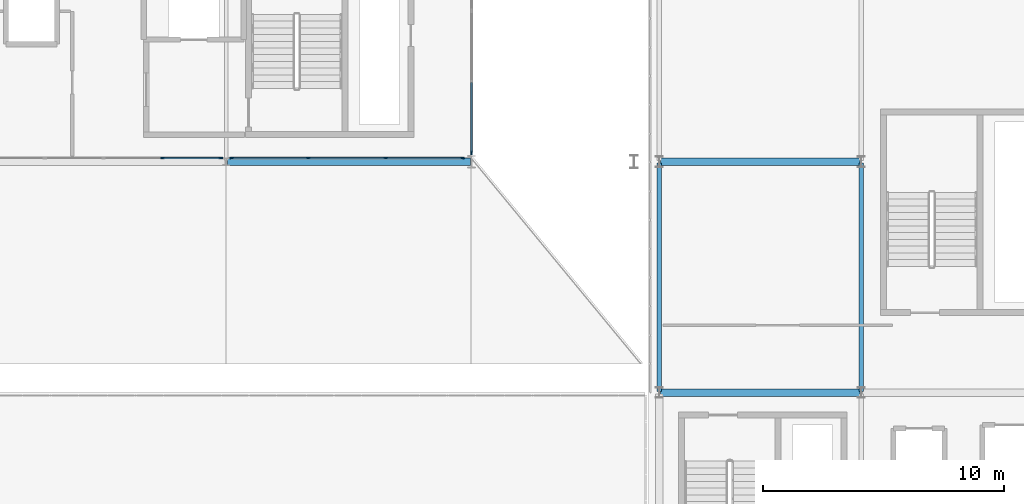
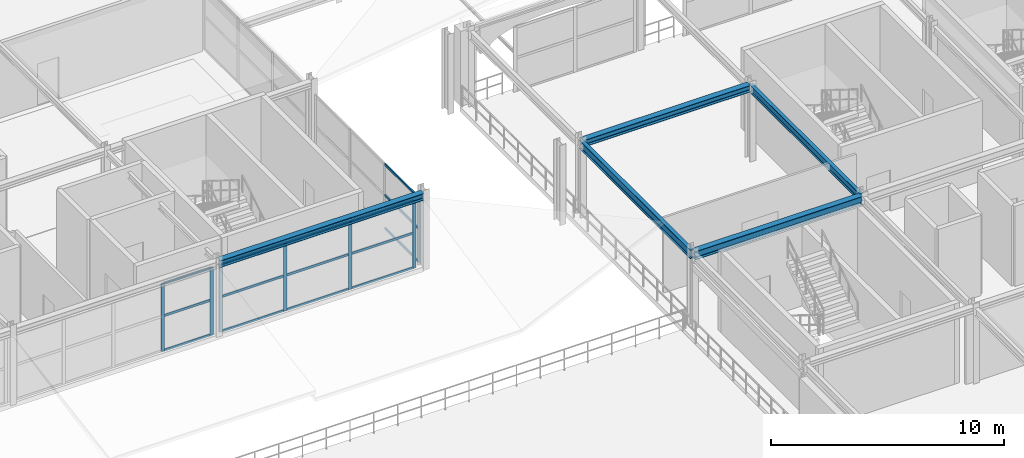
# One storey, part 18 of 81: 22 members, 5 beams, 3 elements without a shape of their own.
"""IFC4 building model written with IfcOpenShell, lengths in metres."""

import ifcopenshell
import ifcopenshell.guid

model = None  # the IFC model being written
_history = None  # IfcOwnerHistory: only IFC2X3 demands one
_inside = {}  # id of a spatial element -> (the spatial element, [elements in it])
_under = {}  # id of a project, library or spatial element -> (it, [spatial elements below it])
_declared = {}  # id of a project -> (the project, [libraries it declares])
_typed = {}  # id of a type object -> (the type object, [elements of that type])
_made_of = {}  # id of a material, layer set ... -> (it, [elements and type objects made of it])


def new_model(schema):
    """Start an empty IFC model of exactly this schema.

    Asked for "IFC4X3", IfcOpenShell would pick the latest addendum, in which some entities
    have other attributes; the version numbers below select the first issue.
    IFC2X3 requires an IfcOwnerHistory on every rooted entity: one is made here for all.
    """
    global model, _history
    if schema == "IFC4X3":
        model = ifcopenshell.file(schema_version=(4, 3, 0, 0))
    else:
        model = ifcopenshell.file(schema=schema)
    _inside.clear()
    _under.clear()
    _declared.clear()
    _typed.clear()
    _made_of.clear()
    _history = None
    if model.schema == "IFC2X3":
        org = make("IfcOrganization", Name="unknown")
        user = make(
            "IfcPersonAndOrganization",
            ThePerson=make("IfcPerson", FamilyName="unknown"),
            TheOrganization=org,
        )
        app = make(
            "IfcApplication",
            ApplicationDeveloper=org,
            Version="unknown",
            ApplicationFullName="unknown",
            ApplicationIdentifier="unknown",
        )
        _history = make(
            "IfcOwnerHistory",
            OwningUser=user,
            OwningApplication=app,
            ChangeAction="ADDED",
            CreationDate=0,
        )
    return model


def make(cls, **values):
    """One entity of the class cls with the attributes given. An attribute that is None is left unset."""
    return model.create_entity(
        cls, **{name: value for name, value in values.items() if value is not None}
    )


def rooted(cls, **values):
    """An entity with a GlobalId (a new one), such as an element, a storey or a relation."""
    return make(cls, GlobalId=ifcopenshell.guid.new(), OwnerHistory=_history, **values)


def si_unit(unit_type, name, prefix=None):
    """IfcSIUnit, for example si_unit("LENGTHUNIT", "METRE", prefix="MILLI")."""
    return make("IfcSIUnit", UnitType=unit_type, Prefix=prefix, Name=name)


def assignment(units):
    """IfcUnitAssignment: the units of a project."""
    return None if units is None else make("IfcUnitAssignment", Units=units)


def point(xyz):
    """IfcCartesianPoint."""
    return None if xyz is None else make("IfcCartesianPoint", Coordinates=xyz)


def direction(xyz):
    """IfcDirection."""
    return None if xyz is None else make("IfcDirection", DirectionRatios=xyz)


def frame(location, z_axis=None, x_axis=None):
    """IfcAxis2Placement3D, a coordinate frame: its origin and axes. An axis left out is left unset."""
    return make(
        "IfcAxis2Placement3D",
        Location=point(location),
        Axis=direction(z_axis),
        RefDirection=direction(x_axis),
    )


def frame_2d(location, x_axis=None):
    """IfcAxis2Placement2D, a coordinate frame in the plane: its origin and x axis."""
    return make(
        "IfcAxis2Placement2D", Location=point(location), RefDirection=direction(x_axis)
    )


def origin():
    """The frame at (0, 0, 0) with its axes left unset."""
    return frame((0.0, 0.0, 0.0))


def origin_2d():
    """The frame at (0, 0) in the plane with its x axis left unset."""
    return frame_2d((0.0, 0.0))


def place(relative_to, where):
    """IfcLocalPlacement: puts the frame where relative to a parent placement (None: the world)."""
    return make(
        "IfcLocalPlacement", PlacementRelTo=relative_to, RelativePlacement=where
    )


def context(
    kind, dimensions, precision=None, world=None, true_north=None, identifier=None
):
    """IfcGeometricRepresentationContext, for example the 3D "Model" context."""
    return make(
        "IfcGeometricRepresentationContext",
        ContextIdentifier=identifier,
        ContextType=kind,
        CoordinateSpaceDimension=dimensions,
        Precision=precision,
        WorldCoordinateSystem=world,
        TrueNorth=true_north,
    )


def subcontext(parent, identifier, kind, view, scale=None):
    """IfcGeometricRepresentationSubContext, for example "Body" below "Model"."""
    return make(
        "IfcGeometricRepresentationSubContext",
        ContextIdentifier=identifier,
        ContextType=kind,
        ParentContext=parent,
        TargetScale=scale,
        TargetView=view,
    )


def project(units=None, contexts=None):
    """IfcProject with its units and contexts."""
    return rooted(
        "IfcProject",
        Name="project",
        RepresentationContexts=contexts,
        UnitsInContext=assignment(units),
    )


def spatial(cls, under=None, at=None, **own):
    """A site, building, storey or space (cls), placed at a placement, below another one or the project."""
    s = rooted(cls, ObjectPlacement=at, **own)
    if under is not None:
        _under.setdefault(under.id(), (under, []))[1].append(s)
    return s


def profile(cls, at=None, kind="AREA", **sizes):
    """A parametric profile (cls). Its sizes go by their IFC names, for example OverallWidth=200.0."""
    return make(cls, ProfileType=kind, Position=at, **sizes)


def rectangle(**sizes):
    """IfcRectangleProfileDef."""
    return profile("IfcRectangleProfileDef", **sizes)


def i_section(**sizes):
    """IfcIShapeProfileDef."""
    return profile("IfcIShapeProfileDef", **sizes)


def extrude(swept, where, along, depth):
    """IfcExtrudedAreaSolid: the profile swept, set in the frame where, extruded along a direction by depth."""
    return make(
        "IfcExtrudedAreaSolid",
        SweptArea=swept,
        Position=where,
        ExtrudedDirection=direction(along),
        Depth=depth,
    )


def shape(context_of_items, identifier, shape_type, items):
    """IfcShapeRepresentation: the items that make up one representation, for example the "Body"."""
    return make(
        "IfcShapeRepresentation",
        ContextOfItems=context_of_items,
        RepresentationIdentifier=identifier,
        RepresentationType=shape_type,
        Items=items,
    )


def material(Name=None, Category=None):
    """IfcMaterial."""
    return make("IfcMaterial", Name=Name, Category=Category)


def layer(
    of_material, thickness, ventilated=None, Name=None, Category=None, Priority=None
):
    """IfcMaterialLayer: one layer of a wall or slab, of a material (None: an air gap)."""
    return make(
        "IfcMaterialLayer",
        Material=of_material,
        LayerThickness=thickness,
        IsVentilated=ventilated,
        Name=Name,
        Category=Category,
        Priority=Priority,
    )


def layer_set(layers, Name=None):
    """IfcMaterialLayerSet."""
    return make("IfcMaterialLayerSet", MaterialLayers=layers, LayerSetName=Name)


def material_profile(
    of_material, cross_section, Name=None, Category=None, Priority=None
):
    """IfcMaterialProfile: a cross section and its material."""
    return make(
        "IfcMaterialProfile",
        Name=Name,
        Material=of_material,
        Profile=cross_section,
        Priority=Priority,
        Category=Category,
    )


def profile_set(profiles, Name=None, composite=None):
    """IfcMaterialProfileSet."""
    return make(
        "IfcMaterialProfileSet",
        Name=Name,
        MaterialProfiles=profiles,
        CompositeProfile=composite,
    )


def made_of(thing, what):
    """Note that an element or type object is made of a material, layer set ...; save() writes the relation."""
    if what is not None:
        _made_of.setdefault(what.id(), (what, []))[1].append(thing)
    return thing


def type_object(cls, material=None, **own):
    """A type object (cls), such as IfcWallType, which elements share."""
    return made_of(rooted(cls, **own), material)


def element(
    cls,
    number,
    at=None,
    inside=None,
    cuts=None,
    type_object=None,
    material=None,
    context=None,
    identifier="Body",
    shape_type=None,
    held_by="IfcProductDefinitionShape",
    body=None,
    shapes=None,
    **own,
):
    """One element of the class cls, such as IfcWall. Its Tag is "e" and its number.

    at: its placement. inside: the storey or other place that contains it. cuts: it is an
    opening in that element (IfcRelVoidsElement). A single representation is given by context,
    identifier, shape_type and body (its items); several are given by shapes. held_by: the class
    of the entity that holds the representations. save() writes the other relations.
    """
    e = rooted(cls, Tag="e%d" % number, ObjectPlacement=at, **own)
    if body is not None:
        shapes = [shape(context, identifier, shape_type, body)]
    if shapes is not None:
        e.Representation = make(held_by, Representations=shapes)
    if inside is not None:
        _inside.setdefault(inside.id(), (inside, []))[1].append(e)
    if cuts is not None:
        rooted(
            "IfcRelVoidsElement", RelatingBuildingElement=cuts, RelatedOpeningElement=e
        )
    if type_object is not None:
        _typed.setdefault(type_object.id(), (type_object, []))[1].append(e)
    return made_of(e, material)


def aggregate(whole, parts):
    """IfcRelAggregates: a whole, such as a stair, and the parts it consists of."""
    return rooted("IfcRelAggregates", RelatingObject=whole, RelatedObjects=parts)


def save(model, path):
    """Write the relations noted so far, then the file.

    IfcRelAggregates (storeys below a building ...), IfcRelContainedInSpatialStructure (elements
    in a storey), IfcRelDefinesByType, IfcRelAssociatesMaterial and IfcRelDeclares: one each for
    every whole, place, type object, material and project.
    """
    for whole, parts in _under.values():
        aggregate(whole, parts)
    for where, things in _inside.values():
        rooted(
            "IfcRelContainedInSpatialStructure",
            RelatedElements=things,
            RelatingStructure=where,
        )
    for kind, things in _typed.values():
        rooted("IfcRelDefinesByType", RelatedObjects=things, RelatingType=kind)
    for what, things in _made_of.values():
        rooted("IfcRelAssociatesMaterial", RelatedObjects=things, RelatingMaterial=what)
    for by, libraries in _declared.values():
        rooted("IfcRelDeclares", RelatingContext=by, RelatedDefinitions=libraries)
    model.write(path)


model = new_model("IFC4")

# Units and contexts
model_context = context("Model", 3, precision=1e-05, world=origin(), true_north=direction((0.0, 1.0)))
body_context = subcontext(model_context, "Body", "Model", "MODEL_VIEW")
ifc_project = project(units=[si_unit("LENGTHUNIT", "METRE"), si_unit("AREAUNIT", "SQUARE_METRE"), si_unit("VOLUMEUNIT", "CUBIC_METRE"), si_unit("PLANEANGLEUNIT", "RADIAN"), si_unit("MASSUNIT", "GRAM", prefix="KILO")], contexts=[model_context])

# Site, building, storey
site_placement = place(None, origin())
site = spatial("IfcSite", under=ifc_project, at=site_placement, CompositionType="ELEMENT")
building_placement = place(site_placement, origin())
building = spatial("IfcBuilding", under=site, at=building_placement, Name="Myrtia Square Station", CompositionType="ELEMENT")
storey_placement = place(building_placement, frame((0.0, 0.0, 10.800048828125)))
storey = spatial("IfcBuildingStorey", under=building, at=storey_placement, Name="L02", CompositionType="ELEMENT", Elevation=10.800048828125)

# Beams
ifc_material_1 = material(Name="Steel S355", Category="steel")
ifc_material_profile_1 = material_profile(ifc_material_1, i_section(OverallWidth=0.300048828125, OverallDepth=0.35009765625, WebThickness=0.010009765625, FlangeThickness=0.017578125, FilletRadius=0.027099609375, at=origin_2d()), Name="HEA 360")
ifc_profile_set_1 = profile_set([ifc_material_profile_1], Name="Steel S355")
beam_type_1 = type_object("IfcBeamType", Name="BM-HEA360", PredefinedType="BEAM", material=ifc_profile_set_1)
beam_1_placement = place(storey_placement, frame((117.64990234375, 28.800048828125, 3.784912109375), z_axis=(1.0, 0.0, 0.0), x_axis=(0.0, 1.0, 0.0)))
element("IfcBeam", 1, at=beam_1_placement, inside=storey, type_object=beam_type_1, Name="Structural girder BMX-L02-0722", PredefinedType="BEAM", context=body_context, shape_type="SweptSolid", body=[
    extrude(i_section(OverallWidth=0.300048828125, OverallDepth=0.35009765625, WebThickness=0.010009765625, FlangeThickness=0.017578125, FilletRadius=0.027099609375, at=origin_2d()), origin(), (0.0, 0.0, 1.0), 8.300048828125),
])
ifc_material_profile_2 = material_profile(ifc_material_1, i_section(OverallWidth=0.300048828125, OverallDepth=0.43994140625, WebThickness=0.011474609375, FlangeThickness=0.02099609375, FilletRadius=0.027099609375, at=origin_2d()), Name="HEA 450")
ifc_profile_set_2 = profile_set([ifc_material_profile_2], Name="Steel S355")
beam_type_2 = type_object("IfcBeamType", Name="BM-HEA450", PredefinedType="BEAM", material=ifc_profile_set_2)
beam_2_placement = place(storey_placement, frame((117.64990234375, 19.199951171875, 3.739990234375), z_axis=(1.0, 0.0, 0.0), x_axis=(0.0, 1.0, 0.0)))
element("IfcBeam", 2, at=beam_2_placement, inside=storey, type_object=beam_type_2, Name="Structural girder BMX-L02-0716", PredefinedType="BEAM", context=body_context, shape_type="SweptSolid", body=[
    extrude(i_section(OverallWidth=0.300048828125, OverallDepth=0.43994140625, WebThickness=0.011474609375, FlangeThickness=0.02099609375, FilletRadius=0.027099609375, at=origin_2d()), origin(), (0.0, 0.0, 1.0), 8.300048828125),
])
ifc_material_profile_3 = material_profile(ifc_material_1, i_section(OverallWidth=0.300048828125, OverallDepth=0.360107421875, WebThickness=0.012451171875, FlangeThickness=0.0224609375, FilletRadius=0.027099609375, at=origin_2d()), Name="HEB 360")
ifc_profile_set_3 = profile_set([ifc_material_profile_3], Name="Steel S355")
beam_type_3 = type_object("IfcBeamType", Name="BM-HEB360", PredefinedType="BEAM", material=ifc_profile_set_3)
beam_3_placement = place(storey_placement, frame((99.64990234375, 28.800048828125, 3.780029296875), z_axis=(1.0, 0.0, 0.0), x_axis=(0.0, 1.0, 0.0)))
element("IfcBeam", 3, at=beam_3_placement, inside=storey, type_object=beam_type_3, Name="Structural girder BMX-L02-0693", PredefinedType="BEAM", context=body_context, shape_type="SweptSolid", body=[
    extrude(i_section(OverallWidth=0.300048828125, OverallDepth=0.360107421875, WebThickness=0.012451171875, FlangeThickness=0.0224609375, FilletRadius=0.027099609375, at=origin_2d()), origin(), (0.0, 0.0, 1.0), 10.10009765625),
])
ifc_material_profile_4 = material_profile(ifc_material_1, i_section(OverallWidth=0.179931640625, OverallDepth=0.39990234375, WebThickness=0.008544921875, FlangeThickness=0.013427734375, FilletRadius=0.02099609375, at=origin_2d()), Name="IPE 400")
ifc_profile_set_4 = profile_set([ifc_material_profile_4], Name="Steel S355")
beam_type_4 = type_object("IfcBeamType", Name="BM-IPE400", PredefinedType="BEAM", material=ifc_profile_set_4)
beam_4_placement = place(storey_placement, frame((126.0, 19.25, 3.760009765625), z_axis=(0.0, 1.0, 0.0), x_axis=(-1.0, 0.0, 0.0)))
element("IfcBeam", 4, at=beam_4_placement, inside=storey, type_object=beam_type_4, Name="Structural girder BMY-L02-0732", PredefinedType="BEAM", context=body_context, shape_type="SweptSolid", body=[
    extrude(i_section(OverallWidth=0.179931640625, OverallDepth=0.39990234375, WebThickness=0.008544921875, FlangeThickness=0.013427734375, FilletRadius=0.02099609375, at=origin_2d()), origin(), (0.0, 0.0, 1.0), 9.5),
])
ifc_material_profile_5 = material_profile(ifc_material_1, i_section(OverallWidth=0.18994140625, OverallDepth=0.449951171875, WebThickness=0.009521484375, FlangeThickness=0.0146484375, FilletRadius=0.02099609375, at=origin_2d()), Name="IPE 450")
ifc_profile_set_5 = profile_set([ifc_material_profile_5], Name="Steel S355")
beam_type_5 = type_object("IfcBeamType", Name="BM-IPE450", PredefinedType="BEAM", material=ifc_profile_set_5)
beam_5_placement = place(storey_placement, frame((117.60009765625, 19.25, 3.73486328125), z_axis=(0.0, 1.0, 0.0), x_axis=(-1.0, 0.0, 0.0)))
element("IfcBeam", 5, at=beam_5_placement, inside=storey, type_object=beam_type_5, Name="Structural girder BMY-L02-0728", PredefinedType="BEAM", context=body_context, shape_type="SweptSolid", body=[
    extrude(i_section(OverallWidth=0.18994140625, OverallDepth=0.449951171875, WebThickness=0.009521484375, FlangeThickness=0.0146484375, FilletRadius=0.02099609375, at=origin_2d()), origin(), (0.0, 0.0, 1.0), 9.5),
])

# Curtain wall, member
ifc_material_2 = material(Name="Dark bronze anodised aluminium", Category="aluminium")
ifc_layer_1 = layer(ifc_material_2, 0.159912109375, Name="Dark bronze anodised aluminium")
ifc_layer_set_1 = layer_set([ifc_layer_1], Name="Dark bronze anodised aluminium")
curtain_wall_type_1 = type_object("IfcCurtainWallType", Name="CW-TYPE-06-890x341", PredefinedType="USERDEFINED", material=ifc_layer_set_1)
curtain_wall_1_placement = place(storey_placement, origin())
curtain_wall_1 = element("IfcCurtainWall", 6, at=curtain_wall_1_placement, inside=storey, type_object=curtain_wall_type_1, Name="Concourse curtain wall CW-L02-020", ObjectType="CONCOURSE CURTAIN WALL", PredefinedType="USERDEFINED")
ifc_material_profile_6 = material_profile(ifc_material_2, rectangle(XDim=0.06005859375, YDim=0.159912109375, at=origin_2d()), Name="ALU-M 60x160")
ifc_profile_set_6 = profile_set([ifc_material_profile_6], Name="Dark bronze anodised aluminium")
member_type_1 = type_object("IfcMemberType", Name="CWM-60x160", PredefinedType="MULLION", material=ifc_profile_set_6)
member_1_placement = place(storey_placement, frame((109.800048828125, 29.179931640625, 0.0), z_axis=(0.0, 0.0, 1.0), x_axis=(-1.0, 0.0, 0.0)))
member_1 = element("IfcMember", 7, at=member_1_placement, type_object=member_type_1, Name="CW-020 mullion 1", PredefinedType="MULLION", context=body_context, shape_type="SweptSolid", body=[
    extrude(rectangle(XDim=0.06005859375, YDim=0.159912109375, at=origin_2d()), origin(), (0.0, 0.0, 1.0), 3.409912109375),
])

# Curtain wall, members
ifc_layer_2 = layer(ifc_material_2, 0.159912109375, Name="Dark bronze anodised aluminium")
ifc_layer_set_2 = layer_set([ifc_layer_2], Name="Dark bronze anodised aluminium")
curtain_wall_type_2 = type_object("IfcCurtainWallType", Name="CW-TYPE-13-980x355", PredefinedType="USERDEFINED", material=ifc_layer_set_2)
curtain_wall_2_placement = place(storey_placement, origin())
curtain_wall_2 = element("IfcCurtainWall", 8, at=curtain_wall_2_placement, inside=storey, type_object=curtain_wall_type_2, Name="Concourse curtain wall CW-L02-049", ObjectType="CONCOURSE CURTAIN WALL", PredefinedType="USERDEFINED")
member_2_placement = place(storey_placement, frame((96.949951171875, 28.949951171875, 0.0), z_axis=(0.0, 0.0, 1.0), x_axis=(0.0, 1.0, 0.0)))
member_2 = element("IfcMember", 9, at=member_2_placement, type_object=member_type_1, Name="CW-049 mullion 4", PredefinedType="MULLION", context=body_context, shape_type="SweptSolid", body=[
    extrude(rectangle(XDim=0.06005859375, YDim=0.159912109375, at=origin_2d()), origin(), (0.0, 0.0, 1.0), 3.550048828125),
])
member_3_placement = place(storey_placement, frame((99.3701171875, 28.949951171875, 0.0), z_axis=(0.0, 0.0, 1.0), x_axis=(0.0, 1.0, 0.0)))
member_3 = element("IfcMember", 10, at=member_3_placement, type_object=member_type_1, Name="CW-049 mullion 5", PredefinedType="MULLION", context=body_context, shape_type="SweptSolid", body=[
    extrude(rectangle(XDim=0.06005859375, YDim=0.159912109375, at=origin_2d()), origin(), (0.0, 0.0, 1.0), 3.550048828125),
])

ifc_layer_3 = layer(ifc_material_2, 0.159912109375, Name="Dark bronze anodised aluminium")
ifc_layer_set_3 = layer_set([ifc_layer_3], Name="Dark bronze anodised aluminium")
curtain_wall_type_3 = type_object("IfcCurtainWallType", Name="CW-TYPE-14-965x355", PredefinedType="USERDEFINED", material=ifc_layer_set_3)
curtain_wall_3_placement = place(storey_placement, origin())
curtain_wall_3 = element("IfcCurtainWall", 11, at=curtain_wall_3_placement, inside=storey, type_object=curtain_wall_type_3, Name="Concourse curtain wall CW-L02-051", ObjectType="CONCOURSE CURTAIN WALL", PredefinedType="USERDEFINED")
member_4_placement = place(storey_placement, frame((99.830078125, 28.949951171875, 0.0), z_axis=(0.0, 0.0, 1.0), x_axis=(0.0, 1.0, 0.0)))
member_4 = element("IfcMember", 12, at=member_4_placement, type_object=member_type_1, Name="CW-051 mullion 1", PredefinedType="MULLION", context=body_context, shape_type="SweptSolid", body=[
    extrude(rectangle(XDim=0.06005859375, YDim=0.159912109375, at=origin_2d()), origin(), (0.0, 0.0, 1.0), 3.550048828125),
])
member_5_placement = place(storey_placement, frame((103.0166015625, 28.949951171875, 0.0), z_axis=(0.0, 0.0, 1.0), x_axis=(0.0, 1.0, 0.0)))
member_5 = element("IfcMember", 13, at=member_5_placement, type_object=member_type_1, Name="CW-051 mullion 2", PredefinedType="MULLION", context=body_context, shape_type="SweptSolid", body=[
    extrude(rectangle(XDim=0.06005859375, YDim=0.159912109375, at=origin_2d()), origin(), (0.0, 0.0, 1.0), 3.550048828125),
])
member_6_placement = place(storey_placement, frame((106.2333984375, 28.949951171875, 0.0), z_axis=(0.0, 0.0, 1.0), x_axis=(0.0, 1.0, 0.0)))
member_6 = element("IfcMember", 14, at=member_6_placement, type_object=member_type_1, Name="CW-051 mullion 3", PredefinedType="MULLION", context=body_context, shape_type="SweptSolid", body=[
    extrude(rectangle(XDim=0.06005859375, YDim=0.159912109375, at=origin_2d()), origin(), (0.0, 0.0, 1.0), 3.550048828125),
])
member_7_placement = place(storey_placement, frame((109.419921875, 28.949951171875, 0.0), z_axis=(0.0, 0.0, 1.0), x_axis=(0.0, 1.0, 0.0)))
member_7 = element("IfcMember", 15, at=member_7_placement, type_object=member_type_1, Name="CW-051 mullion 4", PredefinedType="MULLION", context=body_context, shape_type="SweptSolid", body=[
    extrude(rectangle(XDim=0.06005859375, YDim=0.159912109375, at=origin_2d()), origin(), (0.0, 0.0, 1.0), 3.550048828125),
])

# Member
ifc_material_profile_7 = material_profile(ifc_material_2, rectangle(XDim=0.06005859375, YDim=0.1201171875, at=origin_2d()), Name="ALU-T 60x120")
ifc_profile_set_7 = profile_set([ifc_material_profile_7], Name="Dark bronze anodised aluminium")
member_type_2 = type_object("IfcMemberType", Name="CWT-60x120", PredefinedType="USERDEFINED", material=ifc_profile_set_7)
member_8_placement = place(storey_placement, frame((109.800048828125, 29.2099609375, 0.030029296875), z_axis=(0.0, 1.0, 0.0), x_axis=(-1.0, 0.0, 0.0)))
member_8 = element("IfcMember", 16, at=member_8_placement, type_object=member_type_2, Name="CW-020 transom 1.1", ObjectType="TRANSOM", PredefinedType="USERDEFINED", context=body_context, shape_type="SweptSolid", body=[
    extrude(rectangle(XDim=0.06005859375, YDim=0.1201171875, at=origin_2d()), origin(), (0.0, 0.0, 1.0), 2.876708984375),
])

member_9_placement = place(storey_placement, frame((109.800048828125, 29.2099609375, 1.77294921875), z_axis=(0.0, 1.0, 0.0), x_axis=(-1.0, 0.0, 0.0)))
member_9 = element("IfcMember", 17, at=member_9_placement, type_object=member_type_2, Name="CW-020 transom 1.2", ObjectType="TRANSOM", PredefinedType="USERDEFINED", context=body_context, shape_type="SweptSolid", body=[
    extrude(rectangle(XDim=0.06005859375, YDim=0.1201171875, at=origin_2d()), origin(), (0.0, 0.0, 1.0), 2.876708984375),
])

member_10_placement = place(storey_placement, frame((109.800048828125, 29.2099609375, 3.3798828125), z_axis=(0.0, 1.0, 0.0), x_axis=(-1.0, 0.0, 0.0)))
member_10 = element("IfcMember", 18, at=member_10_placement, type_object=member_type_2, Name="CW-020 transom 1.3", ObjectType="TRANSOM", PredefinedType="USERDEFINED", context=body_context, shape_type="SweptSolid", body=[
    extrude(rectangle(XDim=0.06005859375, YDim=0.1201171875, at=origin_2d()), origin(), (0.0, 0.0, 1.0), 2.876708984375),
])

aggregate(curtain_wall_1, [member_1, member_8, member_9, member_10])

member_11_placement = place(storey_placement, frame((96.97998046875, 28.949951171875, 0.030029296875), z_axis=(1.0, 0.0, 0.0), x_axis=(0.0, 1.0, 0.0)))
member_11 = element("IfcMember", 19, at=member_11_placement, type_object=member_type_2, Name="CW-049 transom 4.1", ObjectType="TRANSOM", PredefinedType="USERDEFINED", context=body_context, shape_type="SweptSolid", body=[
    extrude(rectangle(XDim=0.06005859375, YDim=0.1201171875, at=origin_2d()), origin(), (0.0, 0.0, 1.0), 2.360107421875),
])

member_12_placement = place(storey_placement, frame((96.97998046875, 28.949951171875, 1.845947265625), z_axis=(1.0, 0.0, 0.0), x_axis=(0.0, 1.0, 0.0)))
member_12 = element("IfcMember", 20, at=member_12_placement, type_object=member_type_2, Name="CW-049 transom 4.2", ObjectType="TRANSOM", PredefinedType="USERDEFINED", context=body_context, shape_type="SweptSolid", body=[
    extrude(rectangle(XDim=0.06005859375, YDim=0.1201171875, at=origin_2d()), origin(), (0.0, 0.0, 1.0), 2.360107421875),
])

member_13_placement = place(storey_placement, frame((96.97998046875, 28.949951171875, 3.52001953125), z_axis=(1.0, 0.0, 0.0), x_axis=(0.0, 1.0, 0.0)))
member_13 = element("IfcMember", 21, at=member_13_placement, type_object=member_type_2, Name="CW-049 transom 4.3", ObjectType="TRANSOM", PredefinedType="USERDEFINED", context=body_context, shape_type="SweptSolid", body=[
    extrude(rectangle(XDim=0.06005859375, YDim=0.1201171875, at=origin_2d()), origin(), (0.0, 0.0, 1.0), 2.360107421875),
])

aggregate(curtain_wall_2, [member_2, member_3, member_11, member_12, member_13])

member_14_placement = place(storey_placement, frame((99.860107421875, 28.949951171875, 0.030029296875), z_axis=(1.0, 0.0, 0.0), x_axis=(0.0, 1.0, 0.0)))
member_14 = element("IfcMember", 22, at=member_14_placement, type_object=member_type_2, Name="CW-051 transom 1.1", ObjectType="TRANSOM", PredefinedType="USERDEFINED", context=body_context, shape_type="SweptSolid", body=[
    extrude(rectangle(XDim=0.06005859375, YDim=0.1201171875, at=origin_2d()), origin(), (0.0, 0.0, 1.0), 3.12646484375),
])

member_15_placement = place(storey_placement, frame((99.860107421875, 28.949951171875, 1.845947265625), z_axis=(1.0, 0.0, 0.0), x_axis=(0.0, 1.0, 0.0)))
member_15 = element("IfcMember", 23, at=member_15_placement, type_object=member_type_2, Name="CW-051 transom 1.2", ObjectType="TRANSOM", PredefinedType="USERDEFINED", context=body_context, shape_type="SweptSolid", body=[
    extrude(rectangle(XDim=0.06005859375, YDim=0.1201171875, at=origin_2d()), origin(), (0.0, 0.0, 1.0), 3.12646484375),
])

member_16_placement = place(storey_placement, frame((99.860107421875, 28.949951171875, 3.52001953125), z_axis=(1.0, 0.0, 0.0), x_axis=(0.0, 1.0, 0.0)))
member_16 = element("IfcMember", 24, at=member_16_placement, type_object=member_type_2, Name="CW-051 transom 1.3", ObjectType="TRANSOM", PredefinedType="USERDEFINED", context=body_context, shape_type="SweptSolid", body=[
    extrude(rectangle(XDim=0.06005859375, YDim=0.1201171875, at=origin_2d()), origin(), (0.0, 0.0, 1.0), 3.12646484375),
])

member_17_placement = place(storey_placement, frame((103.046630859375, 28.949951171875, 0.030029296875), z_axis=(1.0, 0.0, 0.0), x_axis=(0.0, 1.0, 0.0)))
member_17 = element("IfcMember", 25, at=member_17_placement, type_object=member_type_2, Name="CW-051 transom 2.1", ObjectType="TRANSOM", PredefinedType="USERDEFINED", context=body_context, shape_type="SweptSolid", body=[
    extrude(rectangle(XDim=0.06005859375, YDim=0.1201171875, at=origin_2d()), origin(), (0.0, 0.0, 1.0), 3.15673828125),
])

member_18_placement = place(storey_placement, frame((103.046630859375, 28.949951171875, 1.845947265625), z_axis=(1.0, 0.0, 0.0), x_axis=(0.0, 1.0, 0.0)))
member_18 = element("IfcMember", 26, at=member_18_placement, type_object=member_type_2, Name="CW-051 transom 2.2", ObjectType="TRANSOM", PredefinedType="USERDEFINED", context=body_context, shape_type="SweptSolid", body=[
    extrude(rectangle(XDim=0.06005859375, YDim=0.1201171875, at=origin_2d()), origin(), (0.0, 0.0, 1.0), 3.15673828125),
])

member_19_placement = place(storey_placement, frame((103.046630859375, 28.949951171875, 3.52001953125), z_axis=(1.0, 0.0, 0.0), x_axis=(0.0, 1.0, 0.0)))
member_19 = element("IfcMember", 27, at=member_19_placement, type_object=member_type_2, Name="CW-051 transom 2.3", ObjectType="TRANSOM", PredefinedType="USERDEFINED", context=body_context, shape_type="SweptSolid", body=[
    extrude(rectangle(XDim=0.06005859375, YDim=0.1201171875, at=origin_2d()), origin(), (0.0, 0.0, 1.0), 3.15673828125),
])

member_20_placement = place(storey_placement, frame((106.263427734375, 28.949951171875, 0.030029296875), z_axis=(1.0, 0.0, 0.0), x_axis=(0.0, 1.0, 0.0)))
member_20 = element("IfcMember", 28, at=member_20_placement, type_object=member_type_2, Name="CW-051 transom 3.1", ObjectType="TRANSOM", PredefinedType="USERDEFINED", context=body_context, shape_type="SweptSolid", body=[
    extrude(rectangle(XDim=0.06005859375, YDim=0.1201171875, at=origin_2d()), origin(), (0.0, 0.0, 1.0), 3.12646484375),
])

member_21_placement = place(storey_placement, frame((106.263427734375, 28.949951171875, 1.845947265625), z_axis=(1.0, 0.0, 0.0), x_axis=(0.0, 1.0, 0.0)))
member_21 = element("IfcMember", 29, at=member_21_placement, type_object=member_type_2, Name="CW-051 transom 3.2", ObjectType="TRANSOM", PredefinedType="USERDEFINED", context=body_context, shape_type="SweptSolid", body=[
    extrude(rectangle(XDim=0.06005859375, YDim=0.1201171875, at=origin_2d()), origin(), (0.0, 0.0, 1.0), 3.12646484375),
])

member_22_placement = place(storey_placement, frame((106.263427734375, 28.949951171875, 3.52001953125), z_axis=(1.0, 0.0, 0.0), x_axis=(0.0, 1.0, 0.0)))
member_22 = element("IfcMember", 30, at=member_22_placement, type_object=member_type_2, Name="CW-051 transom 3.3", ObjectType="TRANSOM", PredefinedType="USERDEFINED", context=body_context, shape_type="SweptSolid", body=[
    extrude(rectangle(XDim=0.06005859375, YDim=0.1201171875, at=origin_2d()), origin(), (0.0, 0.0, 1.0), 3.12646484375),
])

aggregate(curtain_wall_3, [member_4, member_5, member_6, member_7, member_14, member_15, member_16, member_17, member_18, member_19, member_20, member_21, member_22])

save(model, "model.ifc")
